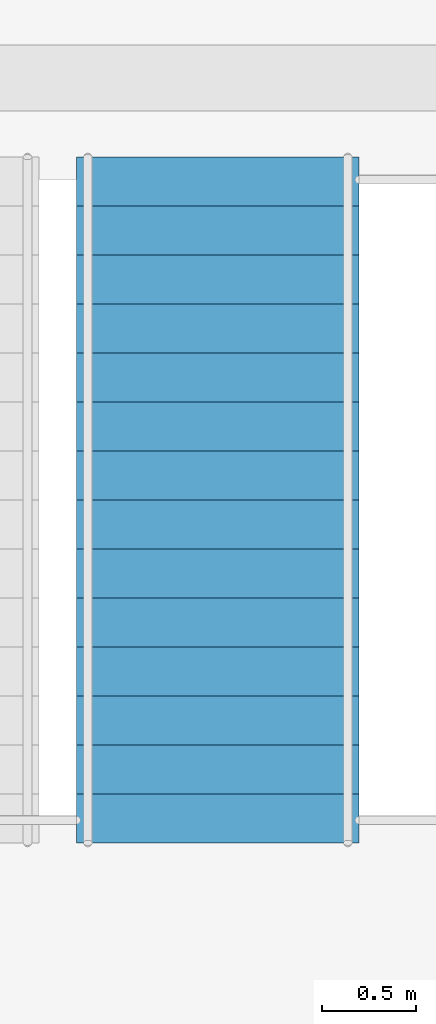
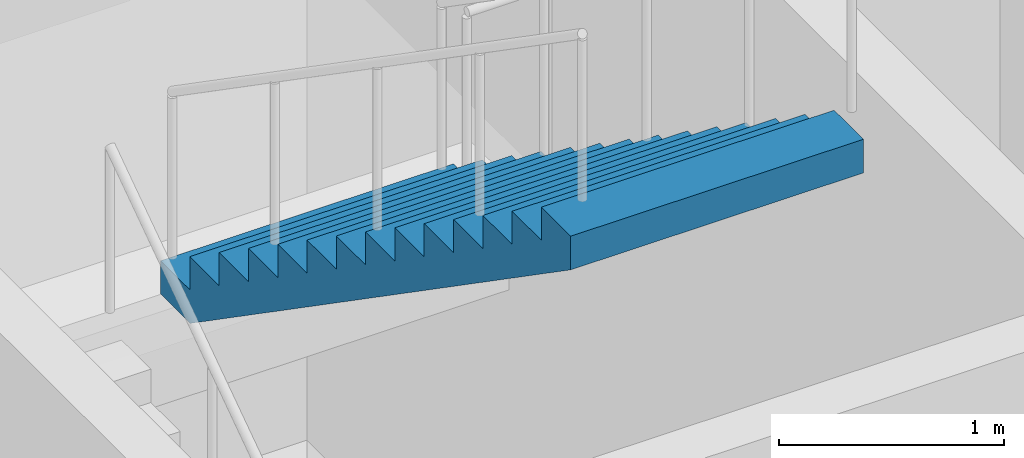
# One storey, part 28 of 33: 1 stair flight, 1 element without a shape of its own.
"""IFC4 building model written with IfcOpenShell, lengths in metres."""

from ifc_helpers import new_model, si_unit, direction, frame, origin, place, context, subcontext, project, spatial, polyline, outline, extrude, material, type_object, element, aggregate, save


model = new_model("IFC4")

# Units and contexts
model_context = context("Model", 3, precision=1e-05, world=origin(), true_north=direction((0.0, 1.0)))
body_context = subcontext(model_context, "Body", "Model", "MODEL_VIEW")
ifc_project = project(units=[si_unit("LENGTHUNIT", "METRE"), si_unit("AREAUNIT", "SQUARE_METRE"), si_unit("VOLUMEUNIT", "CUBIC_METRE"), si_unit("PLANEANGLEUNIT", "RADIAN"), si_unit("MASSUNIT", "GRAM", prefix="KILO")], contexts=[model_context])

# Site, building, storey
site_placement = place(None, origin())
site = spatial("IfcSite", under=ifc_project, at=site_placement, CompositionType="ELEMENT")
building_placement = place(site_placement, origin())
building = spatial("IfcBuilding", under=site, at=building_placement, Name="Basin Gate Institute", CompositionType="ELEMENT")
storey_placement = place(building_placement, frame((0.0, 0.0, 6.0)))
storey = spatial("IfcBuildingStorey", under=building, at=storey_placement, Name="L01", CompositionType="ELEMENT", Elevation=6.0)

# Stair, stair flight
ifc_material_1 = material(Name="Concrete 40 MPa", Category="concrete")
stair_type = type_object("IfcStairType", Name="Block stair ST", PredefinedType="HALF_TURN_STAIR", material=ifc_material_1)
stair_placement = place(storey_placement, origin())
stair = element("IfcStair", 1, at=stair_placement, inside=storey, type_object=stair_type, material=ifc_material_1, Name="Clean block stair ST-C6 L01", PredefinedType="HALF_TURN_STAIR")
ifc_material_2 = material(Name="Concrete 40 MPa", Category="concrete")
stair_flight_type = type_object("IfcStairFlightType", Name="Block stair flight", PredefinedType="STRAIGHT", material=ifc_material_2)
stair_flight_placement = place(storey_placement, frame((142.5, 104.764892578125, 2.699951171875), z_axis=(0.0, 0.0, 1.0), x_axis=(0.0, -1.0, 0.0)))
stair_flight = element("IfcStairFlight", 2, at=stair_flight_placement, type_object=stair_flight_type, material=ifc_material_2, Name="ST-C6 flight 2", NumberOfRisers=15, NumberOfTreads=14, PredefinedType="STRAIGHT", RiserHeight=0.18, TreadLength=0.26, context=body_context, shape_type="SweptSolid", body=[
    extrude(outline(polyline([(0.0, 0.0), (0.0, 0.179931640625), (0.260009765625, 0.179931640625), (0.260009765625, 0.360107421875), (0.52001953125, 0.360107421875), (0.52001953125, 0.5400390625), (0.780029296875, 0.5400390625), (0.780029296875, 0.719970703125), (1.0400390625, 0.719970703125), (1.0400390625, 0.89990234375), (1.300048828125, 0.89990234375), (1.300048828125, 1.080078125), (1.56005859375, 1.080078125), (1.56005859375, 1.260009765625), (1.820068359375, 1.260009765625), (1.820068359375, 1.43994140625), (2.080078125, 1.43994140625), (2.080078125, 1.6201171875), (2.340087890625, 1.6201171875), (2.340087890625, 1.800048828125), (2.60009765625, 1.800048828125), (2.60009765625, 1.97998046875), (2.860107421875, 1.97998046875), (2.860107421875, 2.159912109375), (3.1201171875, 2.159912109375), (3.1201171875, 2.340087890625), (3.3798828125, 2.340087890625), (3.3798828125, 2.52001953125), (3.639892578125, 2.52001953125), (3.639892578125, 2.699951171875), (3.639892578125, 2.337646484375), (0.263427734375, 0.0), (0.0, 0.0)])), frame((0.0, 0.75, 0.0), z_axis=(0.0, -1.0, 0.0), x_axis=(1.0, 0.0, 0.0)), (0.0, 0.0, 1.0), 1.5),
])
aggregate(stair, [stair_flight])

save(model, "model.ifc")
